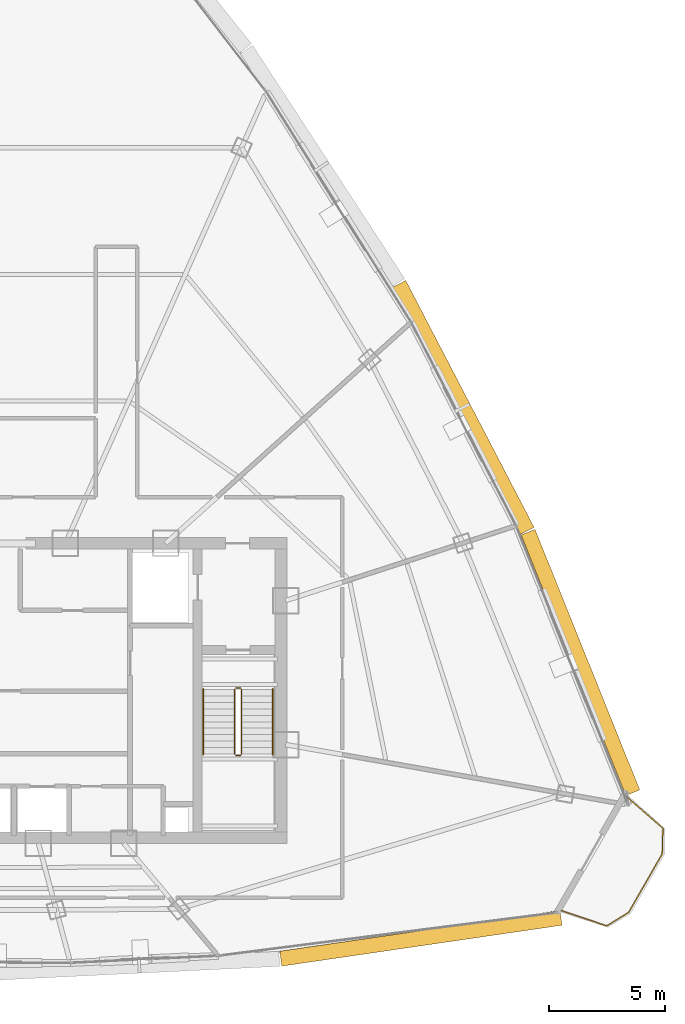
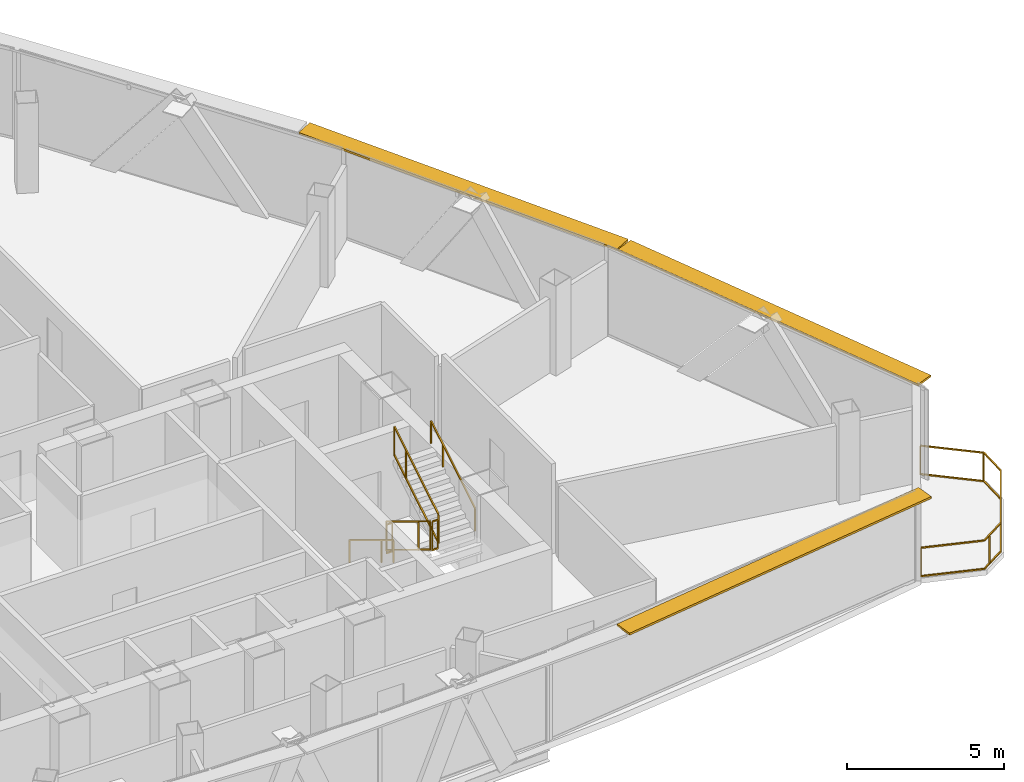
# One storey, part 29 of 30: 7 railings, 3 shading devices.
"""IFC4 building model written with IfcOpenShell, lengths in metres."""

from ifc_helpers import new_model, si_unit, direction, frame, origin, origin_2d, place, context, subcontext, project, spatial, rectangle, extrude, source, transform, mapped, material, layer, layer_set, type_object, element, save


model = new_model("IFC4")

# Units and contexts
model_context = context("Model", 3, precision=1e-05, world=origin(), true_north=direction((0.0, 1.0)))
body_context = subcontext(model_context, "Body", "Model", "MODEL_VIEW")
ifc_project = project(units=[si_unit("LENGTHUNIT", "METRE"), si_unit("AREAUNIT", "SQUARE_METRE"), si_unit("VOLUMEUNIT", "CUBIC_METRE"), si_unit("PLANEANGLEUNIT", "RADIAN"), si_unit("MASSUNIT", "GRAM", prefix="KILO"), si_unit("THERMODYNAMICTEMPERATUREUNIT", "KELVIN"), si_unit("POWERUNIT", "WATT")], contexts=[model_context])

# Site, building, storey
site_placement = place(None, origin())
site = spatial("IfcSite", under=ifc_project, at=site_placement, CompositionType="ELEMENT")
building_placement = place(site_placement, origin())
building = spatial("IfcBuilding", under=site, at=building_placement, Name="Yunzhuo Pagoda Commons", CompositionType="ELEMENT")
storey_placement = place(building_placement, frame((0.0, 0.0, 355.510009765625)))
storey = spatial("IfcBuildingStorey", under=building, at=storey_placement, Name="L89", CompositionType="ELEMENT", Elevation=355.510009765625)

# Railings
ifc_material = material(Name="Anodized aluminium 6063-T6", Category="aluminium")
railing_type_1 = type_object("IfcRailingType", Name="GR-ST2 Stair Well Guardrail 1160", PredefinedType="GUARDRAIL", material=ifc_material)
railing_1_placement = place(storey_placement, frame((58.199951171875, 33.89990234375, 0.17041015625)))
element("IfcRailing", 1, at=railing_1_placement, inside=storey, type_object=railing_type_1, Name="L89 ST2 stair guard 1", PredefinedType="GUARDRAIL", context=body_context, shape_type="SweptSolid", body=[
    extrude(rectangle(XDim=0.048095703125, YDim=0.048095703125, at=origin_2d()), frame((0.0, 0.0, 1.1259765625), z_axis=(0.0, -0.854149651119, 0.520027281489), x_axis=(1.0, 0.0, 0.0)), (0.0, 0.0, 1.0), 3.27783203125),
    extrude(rectangle(XDim=0.048095703125, YDim=0.048095703125, at=origin_2d()), frame((0.0, 0.0, 0.02392578125), z_axis=(0.0, -0.854149651119, 0.520027281489), x_axis=(1.0, 0.0, 0.0)), (0.0, 0.0, 1.0), 3.27783203125),
    extrude(rectangle(XDim=0.0419921875, YDim=0.0419921875, at=origin_2d()), origin(), (0.0, 0.0, 1.0), 1.101806640625),
    extrude(rectangle(XDim=0.0419921875, YDim=0.0419921875, at=origin_2d()), frame((0.0, -2.050048828125, 1.248046875)), (0.0, 0.0, 1.0), 1.101806640625),
    extrude(rectangle(XDim=0.0419921875, YDim=0.0419921875, at=origin_2d()), frame((0.0, -2.7998046875, 1.70458984375)), (0.0, 0.0, 1.0), 1.101806640625),
])
railing_2_placement = place(storey_placement, frame((58.25, 31.050048828125, 1.875)))
element("IfcRailing", 2, at=railing_2_placement, inside=storey, type_object=railing_type_1, Name="L89 ST2 stair guard 2", PredefinedType="GUARDRAIL", context=body_context, shape_type="SweptSolid", body=[
    extrude(rectangle(XDim=0.048095703125, YDim=0.048095703125, at=origin_2d()), frame((0.0, 0.0, 1.1259765625), z_axis=(1.0, 0.0, 0.0), x_axis=(0.0, 1.0, 0.0)), (0.0, 0.0, 1.0), 0.199951171875),
    extrude(rectangle(XDim=0.048095703125, YDim=0.048095703125, at=origin_2d()), frame((0.0, 0.0, 0.02392578125), z_axis=(1.0, 0.0, 0.0), x_axis=(0.0, 1.0, 0.0)), (0.0, 0.0, 1.0), 0.199951171875),
    extrude(rectangle(XDim=0.0419921875, YDim=0.0419921875, at=origin_2d()), origin(), (0.0, 0.0, 1.0), 1.101806640625),
    extrude(rectangle(XDim=0.0419921875, YDim=0.0419921875, at=origin_2d()), frame((0.199951171875, 0.0, 0.0)), (0.0, 0.0, 1.0), 1.101806640625),
])
railing_3_placement = place(storey_placement, frame((58.5, 31.10009765625, 2.04541015625)))
element("IfcRailing", 3, at=railing_3_placement, inside=storey, type_object=railing_type_1, Name="L89 ST2 stair guard 3", PredefinedType="GUARDRAIL", context=body_context, shape_type="SweptSolid", body=[
    extrude(rectangle(XDim=0.048095703125, YDim=0.048095703125, at=origin_2d()), frame((0.0, 0.0, 1.1259765625), z_axis=(0.0, 0.854149651119, 0.520027281489), x_axis=(-1.0, 0.0, 0.0)), (0.0, 0.0, 1.0), 3.27783203125),
    extrude(rectangle(XDim=0.048095703125, YDim=0.048095703125, at=origin_2d()), frame((0.0, 0.0, 0.02392578125), z_axis=(0.0, 0.854149651119, 0.520027281489), x_axis=(-1.0, 0.0, 0.0)), (0.0, 0.0, 1.0), 3.27783203125),
    extrude(rectangle(XDim=0.0419921875, YDim=0.0419921875, at=origin_2d()), origin(), (0.0, 0.0, 1.0), 1.101806640625),
    extrude(rectangle(XDim=0.0419921875, YDim=0.0419921875, at=origin_2d()), frame((0.0, 2.050048828125, 1.248046875)), (0.0, 0.0, 1.0), 1.101806640625),
    extrude(rectangle(XDim=0.0419921875, YDim=0.0419921875, at=origin_2d()), frame((0.0, 2.7998046875, 1.70458984375)), (0.0, 0.0, 1.0), 1.101806640625),
])
railing_4_placement = place(storey_placement, frame((58.25, 33.949951171875, 0.0)))
element("IfcRailing", 4, at=railing_4_placement, inside=storey, type_object=railing_type_1, Name="L89 ST2 stair guard 4", PredefinedType="GUARDRAIL", context=body_context, shape_type="SweptSolid", body=[
    extrude(rectangle(XDim=0.048095703125, YDim=0.048095703125, at=origin_2d()), frame((0.0, 0.0, 1.1259765625), z_axis=(1.0, 0.0, 0.0), x_axis=(0.0, 1.0, 0.0)), (0.0, 0.0, 1.0), 0.199951171875),
    extrude(rectangle(XDim=0.048095703125, YDim=0.048095703125, at=origin_2d()), frame((0.0, 0.0, 0.02392578125), z_axis=(1.0, 0.0, 0.0), x_axis=(0.0, 1.0, 0.0)), (0.0, 0.0, 1.0), 0.199951171875),
    extrude(rectangle(XDim=0.0419921875, YDim=0.0419921875, at=origin_2d()), origin(), (0.0, 0.0, 1.0), 1.101806640625),
    extrude(rectangle(XDim=0.0419921875, YDim=0.0419921875, at=origin_2d()), frame((0.199951171875, 0.0, 0.0)), (0.0, 0.0, 1.0), 1.101806640625),
])
railing_type_2 = type_object("IfcRailingType", Name="HR-ST2 Stair Handrail 900", PredefinedType="HANDRAIL", material=ifc_material)
railing_5_placement = place(storey_placement, frame((56.85009765625, 33.89990234375, 0.17041015625)))
element("IfcRailing", 5, at=railing_5_placement, inside=storey, type_object=railing_type_2, Name="L89 ST2 stair handrail 1", PredefinedType="HANDRAIL", context=body_context, shape_type="SweptSolid", body=[
    extrude(rectangle(XDim=0.048095703125, YDim=0.048095703125, at=origin_2d()), frame((0.0, 0.0, 0.8759765625), z_axis=(0.0, -0.854149651119, 0.520027281489), x_axis=(1.0, 0.0, 0.0)), (0.0, 0.0, 1.0), 3.27783203125),
    extrude(rectangle(XDim=0.0419921875, YDim=0.0419921875, at=origin_2d()), origin(), (0.0, 0.0, 1.0), 0.851806640625),
    extrude(rectangle(XDim=0.0419921875, YDim=0.0419921875, at=origin_2d()), frame((0.0, -2.050048828125, 1.248046875)), (0.0, 0.0, 1.0), 0.851806640625),
    extrude(rectangle(XDim=0.0419921875, YDim=0.0419921875, at=origin_2d()), frame((0.0, -2.7998046875, 1.70458984375)), (0.0, 0.0, 1.0), 0.851806640625),
])
railing_6_placement = place(storey_placement, frame((59.85009765625, 31.10009765625, 2.04541015625)))
element("IfcRailing", 6, at=railing_6_placement, inside=storey, type_object=railing_type_2, Name="L89 ST2 stair handrail 2", PredefinedType="HANDRAIL", context=body_context, shape_type="SweptSolid", body=[
    extrude(rectangle(XDim=0.048095703125, YDim=0.048095703125, at=origin_2d()), frame((0.0, 0.0, 0.8759765625), z_axis=(0.0, 0.854149651119, 0.520027281489), x_axis=(-1.0, 0.0, 0.0)), (0.0, 0.0, 1.0), 3.27783203125),
    extrude(rectangle(XDim=0.0419921875, YDim=0.0419921875, at=origin_2d()), origin(), (0.0, 0.0, 1.0), 0.851806640625),
    extrude(rectangle(XDim=0.0419921875, YDim=0.0419921875, at=origin_2d()), frame((0.0, 2.050048828125, 1.248046875)), (0.0, 0.0, 1.0), 0.851806640625),
    extrude(rectangle(XDim=0.0419921875, YDim=0.0419921875, at=origin_2d()), frame((0.0, 2.7998046875, 1.70458984375)), (0.0, 0.0, 1.0), 0.851806640625),
])
railing_type_3 = type_object("IfcRailingType", Name="RL-BAL1 Exterior Terrace & Balcony Balustrade 1150", PredefinedType="BALUSTRADE", material=ifc_material)
railing_7_placement = place(storey_placement, frame((72.31298828125, 24.346435546875, 0.0)))
element("IfcRailing", 7, at=railing_7_placement, inside=storey, type_object=railing_type_3, Name="L89 corner balcony balustrade V2", PredefinedType="BALUSTRADE", context=body_context, shape_type="SweptSolid", body=[
    extrude(rectangle(XDim=0.048095703125, YDim=0.048095703125, at=origin_2d()), frame((0.0, 0.0, 1.1259765625), z_axis=(0.947419062147, -0.319995501031, 0.0), x_axis=(0.319995501031, 0.947419062147, 0.0)), (0.0, 0.0, 1.0), 2.05908203125),
    extrude(rectangle(XDim=0.048095703125, YDim=0.048095703125, at=origin_2d()), frame((0.0, 0.0, 0.02392578125), z_axis=(0.947419062147, -0.319995501031, 0.0), x_axis=(0.319995501031, 0.947419062147, 0.0)), (0.0, 0.0, 1.0), 2.05908203125),
    extrude(rectangle(XDim=0.048095703125, YDim=0.048095703125, at=origin_2d()), frame((1.950927734375, -0.658935546875, 1.1259765625), z_axis=(0.851499755437, 0.524355000444, 0.0), x_axis=(-0.524355000444, 0.851499755437, 0.0)), (0.0, 0.0, 1.0), 1.1103515625),
    extrude(rectangle(XDim=0.048095703125, YDim=0.048095703125, at=origin_2d()), frame((1.950927734375, -0.658935546875, 0.02392578125), z_axis=(0.851499755437, 0.524355000444, 0.0), x_axis=(-0.524355000444, 0.851499755437, 0.0)), (0.0, 0.0, 1.0), 1.1103515625),
    extrude(rectangle(XDim=0.048095703125, YDim=0.048095703125, at=origin_2d()), frame((2.896484375, -0.07666015625, 1.1259765625), z_axis=(0.497899056357, 0.867234991037, 0.0), x_axis=(-0.867234991037, 0.497899056357, 0.0)), (0.0, 0.0, 1.0), 2.9111328125),
    extrude(rectangle(XDim=0.048095703125, YDim=0.048095703125, at=origin_2d()), frame((2.896484375, -0.07666015625, 0.02392578125), z_axis=(0.497899056357, 0.867234991037, 0.0), x_axis=(-0.867234991037, 0.497899056357, 0.0)), (0.0, 0.0, 1.0), 2.9111328125),
    extrude(rectangle(XDim=0.048095703125, YDim=0.048095703125, at=origin_2d()), frame((4.345947265625, 2.447998046875, 1.1259765625), z_axis=(0.023750447686, 0.999717918332, 0.0), x_axis=(-0.999717918332, 0.023750447686, 0.0)), (0.0, 0.0, 1.0), 1.110107421875),
    extrude(rectangle(XDim=0.048095703125, YDim=0.048095703125, at=origin_2d()), frame((4.345947265625, 2.447998046875, 0.02392578125), z_axis=(0.023750447686, 0.999717918332, 0.0), x_axis=(-0.999717918332, 0.023750447686, 0.0)), (0.0, 0.0, 1.0), 1.110107421875),
    extrude(rectangle(XDim=0.048095703125, YDim=0.048095703125, at=origin_2d()), frame((4.372314453125, 3.557861328125, 1.1259765625), z_axis=(-0.753984993137, 0.656891642605, 0.0), x_axis=(-0.656891642605, -0.753984993137, 0.0)), (0.0, 0.0, 1.0), 2.059326171875),
    extrude(rectangle(XDim=0.048095703125, YDim=0.048095703125, at=origin_2d()), frame((4.372314453125, 3.557861328125, 0.02392578125), z_axis=(-0.753984993137, 0.656891642605, 0.0), x_axis=(-0.656891642605, -0.753984993137, 0.0)), (0.0, 0.0, 1.0), 2.059326171875),
    extrude(rectangle(XDim=0.0419921875, YDim=0.0419921875, at=origin_2d()), origin(), (0.0, 0.0, 1.0), 1.101806640625),
    extrude(rectangle(XDim=0.0419921875, YDim=0.0419921875, at=origin_2d()), frame((2.2412109375, -0.480224609375, 0.0)), (0.0, 0.0, 1.0), 1.101806640625),
    extrude(rectangle(XDim=0.0419921875, YDim=0.0419921875, at=origin_2d()), frame((3.708251953125, 1.337158203125, 0.0)), (0.0, 0.0, 1.0), 1.101806640625),
    extrude(rectangle(XDim=0.0419921875, YDim=0.0419921875, at=origin_2d()), frame((4.365478515625, 3.563720703125, 0.0)), (0.0, 0.0, 1.0), 1.101806640625),
    extrude(rectangle(XDim=0.0419921875, YDim=0.0419921875, at=origin_2d()), frame((2.819580078125, 4.91064453125, 0.0)), (0.0, 0.0, 1.0), 1.101806640625),
])

# Shading devices
ifc_layer = layer(ifc_material, 0.080078125)
ifc_layer_set = layer_set([ifc_layer], Name="Anodized aluminium 6063-T6")
shading_device_type = type_object("IfcShadingDeviceType", Name="SH-SUN1 Pagoda Horizontal Sunshade Eave 650", PredefinedType="USERDEFINED", material=ifc_layer_set)
shared_shape_1 = source(origin(), body_context, "Body", "SweptSolid", [
    extrude(rectangle(XDim=12.22509765625, YDim=0.64990234375, at=origin_2d()), origin(), (0.0, 0.0, 1.0), 0.080078125),
])
shading_device_1_placement = place(storey_placement, frame((66.239501953125, 23.15380859375, 3.409912109375), z_axis=(0.0, 0.0, 1.0), x_axis=(0.989510666697, 0.144459823108, 0.0)))
element("IfcShadingDevice", 8, at=shading_device_1_placement, inside=storey, type_object=shading_device_type, Name="L89 horizontal pagoda sunshade eave F1.4", ObjectType="SUNSHADE", PredefinedType="USERDEFINED", context=body_context, shape_type="MappedRepresentation", body=[
    mapped(shared_shape_1, transform((0.0, 0.0, 0.0), scale=1.0)),
])
shared_shape_2 = source(origin(), body_context, "Body", "SweptSolid", [
    extrude(rectangle(XDim=12.126953125, YDim=0.64990234375, at=origin_2d()), origin(), (0.0, 0.0, 1.0), 0.080078125),
])
shading_device_2_placement = place(storey_placement, frame((73.1259765625, 35.060302734375, 3.409912109375), z_axis=(0.0, 0.0, 1.0), x_axis=(-0.373003976317, 0.927829743893, 0.0)))
element("IfcShadingDevice", 9, at=shading_device_2_placement, inside=storey, type_object=shading_device_type, Name="L89 horizontal pagoda sunshade eave F2.1", ObjectType="SUNSHADE", PredefinedType="USERDEFINED", context=body_context, shape_type="MappedRepresentation", body=[
    mapped(shared_shape_2, transform((0.0, 0.0, 0.0), scale=1.0)),
])
shared_shape_3 = source(origin(), body_context, "Body", "SweptSolid", [
    extrude(rectangle(XDim=12.01171875, YDim=0.64990234375, at=origin_2d()), origin(), (0.0, 0.0, 1.0), 0.080078125),
])
shading_device_3_placement = place(storey_placement, frame((68.068115234375, 46.07275390625, 3.409912109375), z_axis=(0.0, 0.0, 1.0), x_axis=(-0.461191196783, 0.88730078328, 0.0)))
element("IfcShadingDevice", 10, at=shading_device_3_placement, inside=storey, type_object=shading_device_type, Name="L89 horizontal pagoda sunshade eave F2.2", ObjectType="SUNSHADE", PredefinedType="USERDEFINED", context=body_context, shape_type="MappedRepresentation", body=[
    mapped(shared_shape_3, transform((0.0, 0.0, 0.0), scale=1.0)),
])

save(model, "model.ifc")
